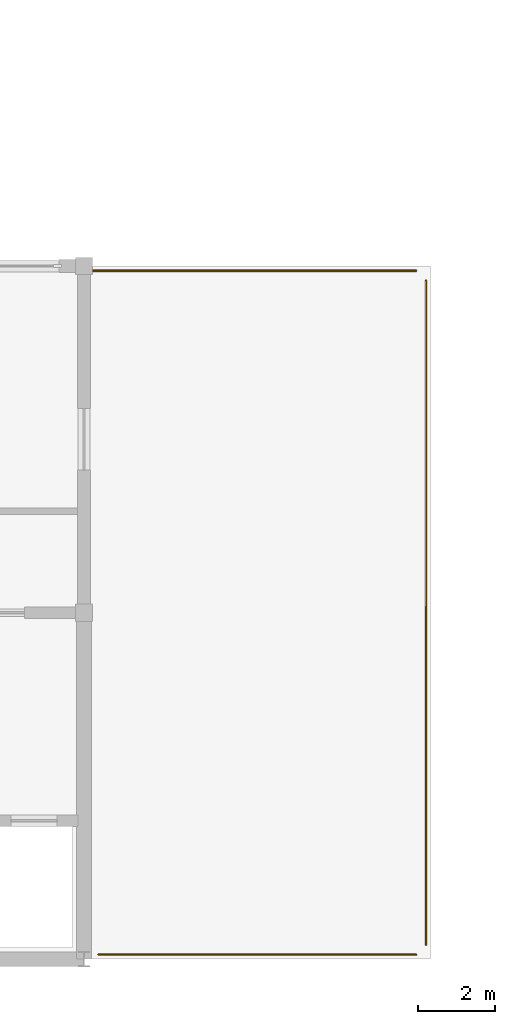
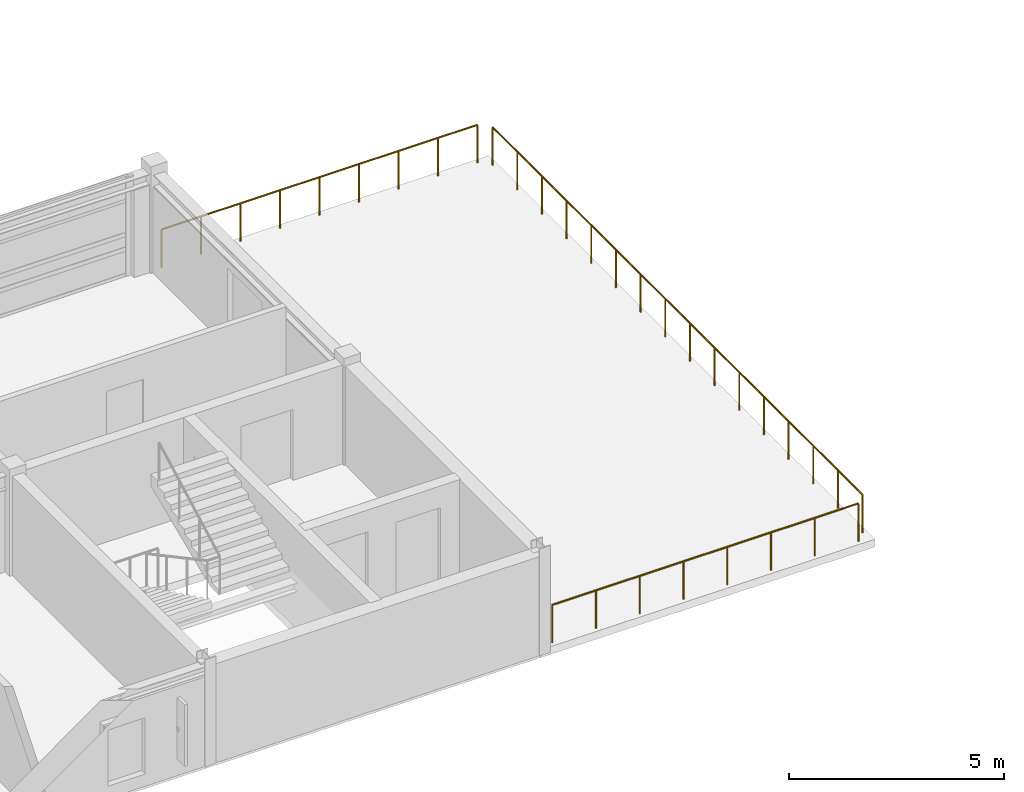
# One storey, part 24 of 24: 3 railings.
"""IFC4 building model written with IfcOpenShell, lengths in metres."""

from ifc_helpers import new_model, si_unit, direction, frame, origin, origin_2d, place, context, subcontext, project, spatial, circle, extrude, material, type_object, element, save


model = new_model("IFC4")

# Units and contexts
model_context = context("Model", 3, precision=1e-05, world=origin(), true_north=direction((0.0, 1.0)))
body_context = subcontext(model_context, "Body", "Model", "MODEL_VIEW")
ifc_project = project(units=[si_unit("LENGTHUNIT", "METRE"), si_unit("AREAUNIT", "SQUARE_METRE"), si_unit("VOLUMEUNIT", "CUBIC_METRE"), si_unit("PLANEANGLEUNIT", "RADIAN"), si_unit("MASSUNIT", "GRAM", prefix="KILO")], contexts=[model_context])

# Site, building, storey
site_placement = place(None, origin())
site = spatial("IfcSite", under=ifc_project, at=site_placement, CompositionType="ELEMENT")
building_placement = place(site_placement, origin())
building = spatial("IfcBuilding", under=site, at=building_placement, Name="Palais des Congres Ocreval", CompositionType="ELEMENT")
storey_placement = place(building_placement, frame((0.0, 0.0, 17.60009765625)))
storey = spatial("IfcBuildingStorey", under=building, at=storey_placement, Name="L05", CompositionType="ELEMENT", Elevation=17.60009765625)

# Railings
ifc_material = material(Name="Anodized bronze aluminium", Category="aluminium")
railing_type = type_object("IfcRailingType", Name="Terrace Bronze Balustrade 1100", PredefinedType="BALUSTRADE", material=ifc_material)
railing_1_placement = place(storey_placement, frame((63.3798828125, 0.1201171875, 0.0)))
element("IfcRailing", 1, at=railing_1_placement, inside=storey, type_object=railing_type, Name="Terrace Guard Balustrade TER-L05-V4E-1", PredefinedType="BALUSTRADE", context=body_context, shape_type="SweptSolid", body=[
    extrude(circle(Radius=0.02392578125, at=origin_2d()), frame((0.0, 0.0, 1.076171875), z_axis=(1.0, 0.0, 0.0), x_axis=(0.0, 1.0, 0.0)), (0.0, 0.0, 1.0), 8.240234375),
    extrude(circle(Radius=0.02099609375, at=origin_2d()), origin(), (0.0, 0.0, 1.0), 1.052001953125),
    extrude(circle(Radius=0.02099609375, at=origin_2d()), frame((1.17724609375, 0.0, 0.0)), (0.0, 0.0, 1.0), 1.052001953125),
    extrude(circle(Radius=0.02099609375, at=origin_2d()), frame((2.354248046875, 0.0, 0.0)), (0.0, 0.0, 1.0), 1.052001953125),
    extrude(circle(Radius=0.02099609375, at=origin_2d()), frame((3.531494140625, 0.0, 0.0)), (0.0, 0.0, 1.0), 1.052001953125),
    extrude(circle(Radius=0.02099609375, at=origin_2d()), frame((4.708740234375, 0.0, 0.0)), (0.0, 0.0, 1.0), 1.052001953125),
    extrude(circle(Radius=0.02099609375, at=origin_2d()), frame((5.885986328125, 0.0, 0.0)), (0.0, 0.0, 1.0), 1.052001953125),
    extrude(circle(Radius=0.02099609375, at=origin_2d()), frame((7.06298828125, 0.0, 0.0)), (0.0, 0.0, 1.0), 1.052001953125),
    extrude(circle(Radius=0.02099609375, at=origin_2d()), frame((8.240234375, 0.0, 0.0)), (0.0, 0.0, 1.0), 1.052001953125),
])
railing_2_placement = place(storey_placement, frame((71.8798828125, 0.3798828125, 0.0)))
element("IfcRailing", 2, at=railing_2_placement, inside=storey, type_object=railing_type, Name="Terrace Guard Balustrade TER-L05-V4E-2", PredefinedType="BALUSTRADE", context=body_context, shape_type="SweptSolid", body=[
    extrude(circle(Radius=0.02392578125, at=origin_2d()), frame((0.0, 0.0, 1.076171875), z_axis=(0.0, 1.0, 0.0), x_axis=(-1.0, 0.0, 0.0)), (0.0, 0.0, 1.0), 17.240234375),
    extrude(circle(Radius=0.02099609375, at=origin_2d()), origin(), (0.0, 0.0, 1.0), 1.052001953125),
    extrude(circle(Radius=0.02099609375, at=origin_2d()), frame((0.0, 1.1494140625, 0.0)), (0.0, 0.0, 1.0), 1.052001953125),
    extrude(circle(Radius=0.02099609375, at=origin_2d()), frame((0.0, 2.298583984375, 0.0)), (0.0, 0.0, 1.0), 1.052001953125),
    extrude(circle(Radius=0.02099609375, at=origin_2d()), frame((0.0, 3.447998046875, 0.0)), (0.0, 0.0, 1.0), 1.052001953125),
    extrude(circle(Radius=0.02099609375, at=origin_2d()), frame((0.0, 4.597412109375, 0.0)), (0.0, 0.0, 1.0), 1.052001953125),
    extrude(circle(Radius=0.02099609375, at=origin_2d()), frame((0.0, 5.746826171875, 0.0)), (0.0, 0.0, 1.0), 1.052001953125),
    extrude(circle(Radius=0.02099609375, at=origin_2d()), frame((0.0, 6.89599609375, 0.0)), (0.0, 0.0, 1.0), 1.052001953125),
    extrude(circle(Radius=0.02099609375, at=origin_2d()), frame((0.0, 8.04541015625, 0.0)), (0.0, 0.0, 1.0), 1.052001953125),
    extrude(circle(Radius=0.02099609375, at=origin_2d()), frame((0.0, 9.19482421875, 0.0)), (0.0, 0.0, 1.0), 1.052001953125),
    extrude(circle(Radius=0.02099609375, at=origin_2d()), frame((0.0, 10.34423828125, 0.0)), (0.0, 0.0, 1.0), 1.052001953125),
    extrude(circle(Radius=0.02099609375, at=origin_2d()), frame((0.0, 11.493408203125, 0.0)), (0.0, 0.0, 1.0), 1.052001953125),
    extrude(circle(Radius=0.02099609375, at=origin_2d()), frame((0.0, 12.642822265625, 0.0)), (0.0, 0.0, 1.0), 1.052001953125),
    extrude(circle(Radius=0.02099609375, at=origin_2d()), frame((0.0, 13.792236328125, 0.0)), (0.0, 0.0, 1.0), 1.052001953125),
    extrude(circle(Radius=0.02099609375, at=origin_2d()), frame((0.0, 14.941650390625, 0.0)), (0.0, 0.0, 1.0), 1.052001953125),
    extrude(circle(Radius=0.02099609375, at=origin_2d()), frame((0.0, 16.0908203125, 0.0)), (0.0, 0.0, 1.0), 1.052001953125),
    extrude(circle(Radius=0.02099609375, at=origin_2d()), frame((0.0, 17.240234375, 0.0)), (0.0, 0.0, 1.0), 1.052001953125),
])
railing_3_placement = place(storey_placement, frame((71.6201171875, 17.8798828125, 0.0)))
element("IfcRailing", 3, at=railing_3_placement, inside=storey, type_object=railing_type, Name="Terrace Guard Balustrade TER-L05-V4E-3", PredefinedType="BALUSTRADE", context=body_context, shape_type="SweptSolid", body=[
    extrude(circle(Radius=0.02392578125, at=origin_2d()), frame((0.0, 0.0, 1.076171875), z_axis=(-1.0, 0.0, 0.0), x_axis=(0.0, -1.0, 0.0)), (0.0, 0.0, 1.0), 8.5),
    extrude(circle(Radius=0.02099609375, at=origin_2d()), origin(), (0.0, 0.0, 1.0), 1.052001953125),
    extrude(circle(Radius=0.02099609375, at=origin_2d()), frame((-1.0625, 0.0, 0.0)), (0.0, 0.0, 1.0), 1.052001953125),
    extrude(circle(Radius=0.02099609375, at=origin_2d()), frame((-2.125, 0.0, 0.0)), (0.0, 0.0, 1.0), 1.052001953125),
    extrude(circle(Radius=0.02099609375, at=origin_2d()), frame((-3.1875, 0.0, 0.0)), (0.0, 0.0, 1.0), 1.052001953125),
    extrude(circle(Radius=0.02099609375, at=origin_2d()), frame((-4.25, 0.0, 0.0)), (0.0, 0.0, 1.0), 1.052001953125),
    extrude(circle(Radius=0.02099609375, at=origin_2d()), frame((-5.3125, 0.0, 0.0)), (0.0, 0.0, 1.0), 1.052001953125),
    extrude(circle(Radius=0.02099609375, at=origin_2d()), frame((-6.375, 0.0, 0.0)), (0.0, 0.0, 1.0), 1.052001953125),
    extrude(circle(Radius=0.02099609375, at=origin_2d()), frame((-7.4375, 0.0, 0.0)), (0.0, 0.0, 1.0), 1.052001953125),
    extrude(circle(Radius=0.02099609375, at=origin_2d()), frame((-8.5, 0.0, 0.0)), (0.0, 0.0, 1.0), 1.052001953125),
])

save(model, "model.ifc")
